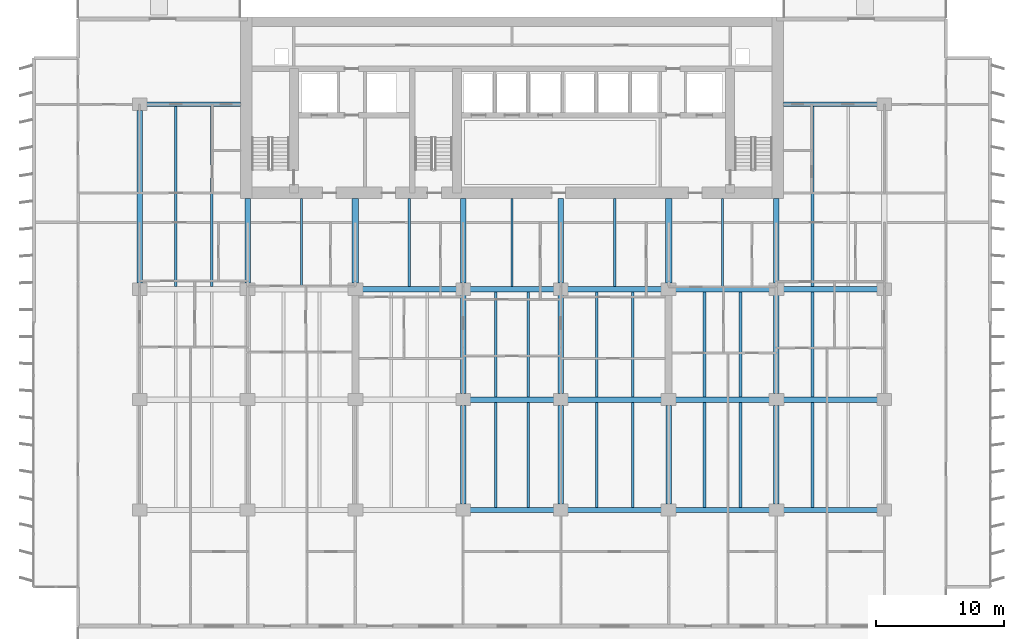
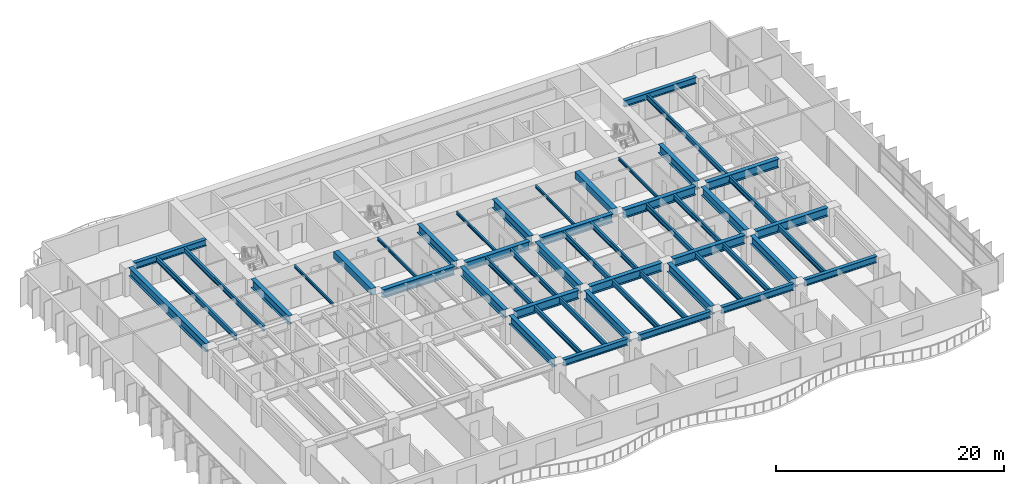
# One storey, part 3 of 17: 51 beams.
"""IFC4 building model written with IfcOpenShell, lengths in metres."""

from ifc_helpers import new_model, si_unit, direction, frame, origin, origin_2d, place, context, subcontext, project, spatial, rectangle, i_section, extrude, material, material_profile, profile_set, type_object, element, save


model = new_model("IFC4")

# Units and contexts
model_context = context("Model", 3, precision=1e-05, world=origin(), true_north=direction((0.0, 1.0)))
body_context = subcontext(model_context, "Body", "Model", "MODEL_VIEW")
ifc_project = project(units=[si_unit("LENGTHUNIT", "METRE"), si_unit("AREAUNIT", "SQUARE_METRE"), si_unit("VOLUMEUNIT", "CUBIC_METRE"), si_unit("PLANEANGLEUNIT", "RADIAN"), si_unit("MASSUNIT", "GRAM", prefix="KILO")], contexts=[model_context])

# Site, building, storey
site_placement = place(None, origin())
site = spatial("IfcSite", under=ifc_project, at=site_placement, CompositionType="ELEMENT")
building_placement = place(site_placement, origin())
building = spatial("IfcBuilding", under=site, at=building_placement, Name="Caelmar Bay Residences", CompositionType="ELEMENT")
storey_placement = place(building_placement, frame((0.0, 0.0, 49.800048828125)))
storey = spatial("IfcBuildingStorey", under=building, at=storey_placement, Name="L12", CompositionType="ELEMENT", Elevation=49.800048828125)

# Beams
ifc_material_1 = material(Name="Steel ASTM A992 Grade 50", Category="steel")
ifc_material_profile_1 = material_profile(ifc_material_1, i_section(OverallWidth=0.422119140625, OverallDepth=0.925048828125, WebThickness=0.021240234375, FlangeThickness=0.03662109375, FilletRadius=0.020263671875, at=origin_2d()), Name="W36X262")
ifc_profile_set_1 = profile_set([ifc_material_profile_1], Name="Steel ASTM A992 Grade 50")
beam_type_1 = type_object("IfcBeamType", Name="BM-GRD-W36X262", PredefinedType="BEAM", material=ifc_profile_set_1)
beam_1_placement = place(storey_placement, frame((35.639892578125, 20.800048828125, 2.58740234375), z_axis=(1.0, 0.0, 0.0), x_axis=(0.0, 1.0, 0.0)))
element("IfcBeam", 1, at=beam_1_placement, inside=storey, type_object=beam_type_1, Name="L12 East-West Girder Y=20.80 (35.1-42.7)", PredefinedType="BEAM", context=body_context, shape_type="SweptSolid", body=[
    extrude(i_section(OverallWidth=0.422119140625, OverallDepth=0.925048828125, WebThickness=0.021240234375, FlangeThickness=0.03662109375, FilletRadius=0.020263671875, at=origin_2d()), origin(), (0.0, 0.0, 1.0), 6.52001953125),
])
for number, where, z_axis, x_axis, name in (
    (2, (43.239990234375, 20.800048828125, 2.58740234375), (1.0, 0.0, 0.0), (0.0, 1.0, 0.0), "L12 East-West Girder Y=20.80 (42.7-51.1)"),
    (3, (51.639892578125, 20.800048828125, 2.58740234375), (1.0, 0.0, 0.0), (0.0, 1.0, 0.0), "L12 East-West Girder Y=20.80 (51.1-59.5)"),
    (4, (60.0400390625, 20.800048828125, 2.58740234375), (1.0, 0.0, 0.0), (0.0, 1.0, 0.0), "L12 East-West Girder Y=20.80 (59.5-67.9)"),
    (5, (27.239990234375, 29.39990234375, 2.58740234375), (1.0, 0.0, 0.0), (0.0, 1.0, 0.0), "L12 East-West Girder Y=29.40 (26.7-35.1)"),
):
    element("IfcBeam", number, at=place(storey_placement, frame(where, z_axis=z_axis, x_axis=x_axis)), inside=storey, type_object=beam_type_1, Name=name, PredefinedType="BEAM", context=body_context, shape_type="SweptSolid", body=[
        extrude(i_section(OverallWidth=0.422119140625, OverallDepth=0.925048828125, WebThickness=0.021240234375, FlangeThickness=0.03662109375, FilletRadius=0.020263671875, at=origin_2d()), origin(), (0.0, 0.0, 1.0), 7.320068359375),
    ])
beam_2_placement = place(storey_placement, frame((35.639892578125, 29.39990234375, 2.58740234375), z_axis=(1.0, 0.0, 0.0), x_axis=(0.0, 1.0, 0.0)))
element("IfcBeam", 6, at=beam_2_placement, inside=storey, type_object=beam_type_1, Name="L12 East-West Girder Y=29.40 (35.1-42.7)", PredefinedType="BEAM", context=body_context, shape_type="SweptSolid", body=[
    extrude(i_section(OverallWidth=0.422119140625, OverallDepth=0.925048828125, WebThickness=0.021240234375, FlangeThickness=0.03662109375, FilletRadius=0.020263671875, at=origin_2d()), origin(), (0.0, 0.0, 1.0), 6.52001953125),
])
for number, where, z_axis, x_axis, name in (
    (7, (43.239990234375, 29.39990234375, 2.58740234375), (1.0, 0.0, 0.0), (0.0, 1.0, 0.0), "L12 East-West Girder Y=29.40 (42.7-51.1)"),
    (8, (51.639892578125, 29.39990234375, 2.58740234375), (1.0, 0.0, 0.0), (0.0, 1.0, 0.0), "L12 East-West Girder Y=29.40 (51.1-59.5)"),
    (9, (60.0400390625, 29.39990234375, 2.58740234375), (1.0, 0.0, 0.0), (0.0, 1.0, 0.0), "L12 East-West Girder Y=29.40 (59.5-67.9)"),
):
    element("IfcBeam", number, at=place(storey_placement, frame(where, z_axis=z_axis, x_axis=x_axis)), inside=storey, type_object=beam_type_1, Name=name, PredefinedType="BEAM", context=body_context, shape_type="SweptSolid", body=[
        extrude(i_section(OverallWidth=0.422119140625, OverallDepth=0.925048828125, WebThickness=0.021240234375, FlangeThickness=0.03662109375, FilletRadius=0.020263671875, at=origin_2d()), origin(), (0.0, 0.0, 1.0), 7.320068359375),
    ])
beam_3_placement = place(storey_placement, frame((9.89990234375, 29.864990234375, 2.58740234375), z_axis=(0.0, 1.0, 0.0), x_axis=(-1.0, 0.0, 0.0)))
element("IfcBeam", 10, at=beam_3_placement, inside=storey, type_object=beam_type_1, Name="L12 North-South Girder X=9.90 (29.4-43.8)", PredefinedType="BEAM", context=body_context, shape_type="SweptSolid", body=[
    extrude(i_section(OverallWidth=0.422119140625, OverallDepth=0.925048828125, WebThickness=0.021240234375, FlangeThickness=0.03662109375, FilletRadius=0.020263671875, at=origin_2d()), origin(), (0.0, 0.0, 1.0), 13.469970703125),
])
for number, where, z_axis, x_axis, name in (
    (11, (18.300048828125, 29.864990234375, 2.58740234375), (0.0, 1.0, 0.0), (-1.0, 0.0, 0.0), "L12 Core Tie Girder X=18.30"),
    (12, (35.10009765625, 29.864990234375, 2.58740234375), (0.0, 1.0, 0.0), (-1.0, 0.0, 0.0), "L12 Core Tie Girder X=35.10"),
):
    element("IfcBeam", number, at=place(storey_placement, frame(where, z_axis=z_axis, x_axis=x_axis)), inside=storey, type_object=beam_type_1, Name=name, PredefinedType="BEAM", context=body_context, shape_type="SweptSolid", body=[
        extrude(i_section(OverallWidth=0.422119140625, OverallDepth=0.925048828125, WebThickness=0.021240234375, FlangeThickness=0.03662109375, FilletRadius=0.020263671875, at=origin_2d()), origin(), (0.0, 0.0, 1.0), 6.5849609375),
    ])
beam_4_placement = place(storey_placement, frame((35.10009765625, 12.6650390625, 2.58740234375), z_axis=(0.0, 1.0, 0.0), x_axis=(-1.0, 0.0, 0.0)))
element("IfcBeam", 13, at=beam_4_placement, inside=storey, type_object=beam_type_1, Name="L12 North-South Girder X=35.10 (12.2-20.8)", PredefinedType="BEAM", context=body_context, shape_type="SweptSolid", body=[
    extrude(i_section(OverallWidth=0.422119140625, OverallDepth=0.925048828125, WebThickness=0.021240234375, FlangeThickness=0.03662109375, FilletRadius=0.020263671875, at=origin_2d()), origin(), (0.0, 0.0, 1.0), 7.669921875),
])
beam_5_placement = place(storey_placement, frame((35.10009765625, 21.264892578125, 2.58740234375), z_axis=(0.0, 1.0, 0.0), x_axis=(-1.0, 0.0, 0.0)))
element("IfcBeam", 14, at=beam_5_placement, inside=storey, type_object=beam_type_1, Name="L12 North-South Girder X=35.10 (20.8-29.4)", PredefinedType="BEAM", context=body_context, shape_type="SweptSolid", body=[
    extrude(i_section(OverallWidth=0.422119140625, OverallDepth=0.925048828125, WebThickness=0.021240234375, FlangeThickness=0.03662109375, FilletRadius=0.020263671875, at=origin_2d()), origin(), (0.0, 0.0, 1.0), 7.670166015625),
])
beam_6_placement = place(storey_placement, frame((42.699951171875, 29.864990234375, 2.58740234375), z_axis=(0.0, 1.0, 0.0), x_axis=(-1.0, 0.0, 0.0)))
element("IfcBeam", 15, at=beam_6_placement, inside=storey, type_object=beam_type_1, Name="L12 Core Tie Girder X=42.70", PredefinedType="BEAM", context=body_context, shape_type="SweptSolid", body=[
    extrude(i_section(OverallWidth=0.422119140625, OverallDepth=0.925048828125, WebThickness=0.021240234375, FlangeThickness=0.03662109375, FilletRadius=0.020263671875, at=origin_2d()), origin(), (0.0, 0.0, 1.0), 6.5849609375),
])
beam_7_placement = place(storey_placement, frame((42.699951171875, 12.6650390625, 2.58740234375), z_axis=(0.0, 1.0, 0.0), x_axis=(-1.0, 0.0, 0.0)))
element("IfcBeam", 16, at=beam_7_placement, inside=storey, type_object=beam_type_1, Name="L12 North-South Girder X=42.70 (12.2-20.8)", PredefinedType="BEAM", context=body_context, shape_type="SweptSolid", body=[
    extrude(i_section(OverallWidth=0.422119140625, OverallDepth=0.925048828125, WebThickness=0.021240234375, FlangeThickness=0.03662109375, FilletRadius=0.020263671875, at=origin_2d()), origin(), (0.0, 0.0, 1.0), 7.669921875),
])
beam_8_placement = place(storey_placement, frame((42.699951171875, 21.264892578125, 2.58740234375), z_axis=(0.0, 1.0, 0.0), x_axis=(-1.0, 0.0, 0.0)))
element("IfcBeam", 17, at=beam_8_placement, inside=storey, type_object=beam_type_1, Name="L12 North-South Girder X=42.70 (20.8-29.4)", PredefinedType="BEAM", context=body_context, shape_type="SweptSolid", body=[
    extrude(i_section(OverallWidth=0.422119140625, OverallDepth=0.925048828125, WebThickness=0.021240234375, FlangeThickness=0.03662109375, FilletRadius=0.020263671875, at=origin_2d()), origin(), (0.0, 0.0, 1.0), 7.670166015625),
])
beam_9_placement = place(storey_placement, frame((51.10009765625, 12.6650390625, 2.58740234375), z_axis=(0.0, 1.0, 0.0), x_axis=(-1.0, 0.0, 0.0)))
element("IfcBeam", 18, at=beam_9_placement, inside=storey, type_object=beam_type_1, Name="L12 North-South Girder X=51.10 (12.2-20.8)", PredefinedType="BEAM", context=body_context, shape_type="SweptSolid", body=[
    extrude(i_section(OverallWidth=0.422119140625, OverallDepth=0.925048828125, WebThickness=0.021240234375, FlangeThickness=0.03662109375, FilletRadius=0.020263671875, at=origin_2d()), origin(), (0.0, 0.0, 1.0), 7.669921875),
])
beam_10_placement = place(storey_placement, frame((59.5, 29.864990234375, 2.58740234375), z_axis=(0.0, 1.0, 0.0), x_axis=(-1.0, 0.0, 0.0)))
element("IfcBeam", 19, at=beam_10_placement, inside=storey, type_object=beam_type_1, Name="L12 Core Tie Girder X=59.50", PredefinedType="BEAM", context=body_context, shape_type="SweptSolid", body=[
    extrude(i_section(OverallWidth=0.422119140625, OverallDepth=0.925048828125, WebThickness=0.021240234375, FlangeThickness=0.03662109375, FilletRadius=0.020263671875, at=origin_2d()), origin(), (0.0, 0.0, 1.0), 6.5849609375),
])
beam_11_placement = place(storey_placement, frame((59.5, 12.6650390625, 2.58740234375), z_axis=(0.0, 1.0, 0.0), x_axis=(-1.0, 0.0, 0.0)))
element("IfcBeam", 20, at=beam_11_placement, inside=storey, type_object=beam_type_1, Name="L12 North-South Girder X=59.50 (12.2-20.8)", PredefinedType="BEAM", context=body_context, shape_type="SweptSolid", body=[
    extrude(i_section(OverallWidth=0.422119140625, OverallDepth=0.925048828125, WebThickness=0.021240234375, FlangeThickness=0.03662109375, FilletRadius=0.020263671875, at=origin_2d()), origin(), (0.0, 0.0, 1.0), 7.669921875),
])
beam_12_placement = place(storey_placement, frame((59.5, 21.264892578125, 2.58740234375), z_axis=(0.0, 1.0, 0.0), x_axis=(-1.0, 0.0, 0.0)))
element("IfcBeam", 21, at=beam_12_placement, inside=storey, type_object=beam_type_1, Name="L12 North-South Girder X=59.50 (20.8-29.4)", PredefinedType="BEAM", context=body_context, shape_type="SweptSolid", body=[
    extrude(i_section(OverallWidth=0.422119140625, OverallDepth=0.925048828125, WebThickness=0.021240234375, FlangeThickness=0.03662109375, FilletRadius=0.020263671875, at=origin_2d()), origin(), (0.0, 0.0, 1.0), 7.670166015625),
])
ifc_material_profile_2 = material_profile(ifc_material_1, i_section(OverallWidth=0.1650390625, OverallDepth=0.31005859375, WebThickness=0.005859375, FlangeThickness=0.009765625, FilletRadius=0.007568359375, at=origin_2d()), Name="W12X26")
ifc_profile_set_2 = profile_set([ifc_material_profile_2], Name="Steel ASTM A992 Grade 50")
beam_type_2 = type_object("IfcBeamType", Name="BM-JST-W12X26", PredefinedType="JOIST", material=ifc_profile_set_2)
for number, where, z_axis, x_axis, name in (
    (22, (22.5, 29.611083984375, 2.89501953125), (0.0, 1.0, 0.0), (-1.0, 0.0, 0.0), "L12 Core-Band Composite Joist 29"),
    (23, (30.89990234375, 29.611083984375, 2.89501953125), (0.0, 1.0, 0.0), (-1.0, 0.0, 0.0), "L12 Core-Band Composite Joist 30"),
    (24, (38.89990234375, 29.611083984375, 2.89501953125), (0.0, 1.0, 0.0), (-1.0, 0.0, 0.0), "L12 Core-Band Composite Joist 31"),
    (25, (46.89990234375, 29.611083984375, 2.89501953125), (0.0, 1.0, 0.0), (-1.0, 0.0, 0.0), "L12 Core-Band Composite Joist 32"),
    (26, (55.300048828125, 29.611083984375, 2.89501953125), (0.0, 1.0, 0.0), (-1.0, 0.0, 0.0), "L12 Core-Band Composite Joist 33"),
):
    element("IfcBeam", number, at=place(storey_placement, frame(where, z_axis=z_axis, x_axis=x_axis)), inside=storey, type_object=beam_type_2, Name=name, PredefinedType="JOIST", context=body_context, shape_type="SweptSolid", body=[
        extrude(i_section(OverallWidth=0.1650390625, OverallDepth=0.31005859375, WebThickness=0.005859375, FlangeThickness=0.009765625, FilletRadius=0.007568359375, at=origin_2d()), origin(), (0.0, 0.0, 1.0), 6.8388671875),
    ])
ifc_material_profile_3 = material_profile(ifc_material_1, i_section(OverallWidth=0.2099609375, OverallDepth=0.535888671875, WebThickness=0.010986328125, FlangeThickness=0.017333984375, FilletRadius=0.0126953125, at=origin_2d()), Name="W21X68")
ifc_profile_set_3 = profile_set([ifc_material_profile_3], Name="Steel ASTM A992 Grade 50")
beam_type_3 = type_object("IfcBeamType", Name="BM-JST-W21X68", PredefinedType="JOIST", material=ifc_profile_set_3)
for number, where, z_axis, x_axis, name in (
    (27, (40.166748046875, 12.3779296875, 2.781982421875), (0.0, 1.0, 0.0), (-1.0, 0.0, 0.0), "L12 Composite Floor Joist 8"),
    (28, (48.300048828125, 12.3779296875, 2.781982421875), (0.0, 1.0, 0.0), (-1.0, 0.0, 0.0), "L12 Composite Floor Joist 10"),
    (29, (56.699951171875, 12.3779296875, 2.781982421875), (0.0, 1.0, 0.0), (-1.0, 0.0, 0.0), "L12 Composite Floor Joist 12"),
):
    element("IfcBeam", number, at=place(storey_placement, frame(where, z_axis=z_axis, x_axis=x_axis)), inside=storey, type_object=beam_type_3, Name=name, PredefinedType="JOIST", context=body_context, shape_type="SweptSolid", body=[
        extrude(i_section(OverallWidth=0.2099609375, OverallDepth=0.535888671875, WebThickness=0.010986328125, FlangeThickness=0.017333984375, FilletRadius=0.0126953125, at=origin_2d()), origin(), (0.0, 0.0, 1.0), 8.211181640625),
    ])
for number, where, z_axis, x_axis, name in (
    (30, (40.166748046875, 21.010986328125, 2.781982421875), (0.0, 1.0, 0.0), (-1.0, 0.0, 0.0), "L12 Composite Floor Joist 22"),
    (31, (48.300048828125, 21.010986328125, 2.781982421875), (0.0, 1.0, 0.0), (-1.0, 0.0, 0.0), "L12 Composite Floor Joist 24"),
    (32, (56.699951171875, 21.010986328125, 2.781982421875), (0.0, 1.0, 0.0), (-1.0, 0.0, 0.0), "L12 Composite Floor Joist 26"),
):
    element("IfcBeam", number, at=place(storey_placement, frame(where, z_axis=z_axis, x_axis=x_axis)), inside=storey, type_object=beam_type_3, Name=name, PredefinedType="JOIST", context=body_context, shape_type="SweptSolid", body=[
        extrude(i_section(OverallWidth=0.2099609375, OverallDepth=0.535888671875, WebThickness=0.010986328125, FlangeThickness=0.017333984375, FilletRadius=0.0126953125, at=origin_2d()), origin(), (0.0, 0.0, 1.0), 8.177978515625),
    ])
beam_13_placement = place(storey_placement, frame((15.5, 29.611083984375, 2.781982421875), z_axis=(0.0, 1.0, 0.0), x_axis=(-1.0, 0.0, 0.0)))
element("IfcBeam", 33, at=beam_13_placement, inside=storey, type_object=beam_type_3, Name="L12 Composite Floor Joist 35", PredefinedType="JOIST", context=body_context, shape_type="SweptSolid", body=[
    extrude(i_section(OverallWidth=0.2099609375, OverallDepth=0.535888671875, WebThickness=0.010986328125, FlangeThickness=0.017333984375, FilletRadius=0.0126953125, at=origin_2d()), origin(), (0.0, 0.0, 1.0), 14.010986328125),
])
ifc_material_profile_4 = material_profile(ifc_material_1, i_section(OverallWidth=0.214111328125, OverallDepth=0.549072265625, WebThickness=0.0146484375, FlangeThickness=0.023681640625, FilletRadius=0.0126953125, at=origin_2d()), Name="W21X93")
ifc_profile_set_4 = profile_set([ifc_material_profile_4], Name="Steel ASTM A992 Grade 50")
beam_type_4 = type_object("IfcBeamType", Name="BM-JST-W21X93", PredefinedType="JOIST", material=ifc_profile_set_4)
for number, where, z_axis, x_axis, name in (
    (34, (37.63330078125, 12.3779296875, 2.775390625), (0.0, 1.0, 0.0), (-1.0, 0.0, 0.0), "L12 Composite Floor Joist 7"),
    (35, (45.5, 12.3779296875, 2.775390625), (0.0, 1.0, 0.0), (-1.0, 0.0, 0.0), "L12 Composite Floor Joist 9"),
    (36, (53.89990234375, 12.3779296875, 2.775390625), (0.0, 1.0, 0.0), (-1.0, 0.0, 0.0), "L12 Composite Floor Joist 11"),
    (37, (62.300048828125, 12.3779296875, 2.775390625), (0.0, 1.0, 0.0), (-1.0, 0.0, 0.0), "L12 Composite Floor Joist 13"),
):
    element("IfcBeam", number, at=place(storey_placement, frame(where, z_axis=z_axis, x_axis=x_axis)), inside=storey, type_object=beam_type_4, Name=name, PredefinedType="JOIST", context=body_context, shape_type="SweptSolid", body=[
        extrude(i_section(OverallWidth=0.214111328125, OverallDepth=0.549072265625, WebThickness=0.0146484375, FlangeThickness=0.023681640625, FilletRadius=0.0126953125, at=origin_2d()), origin(), (0.0, 0.0, 1.0), 8.211181640625),
    ])
for number, where, z_axis, x_axis, name in (
    (38, (37.63330078125, 21.010986328125, 2.775390625), (0.0, 1.0, 0.0), (-1.0, 0.0, 0.0), "L12 Composite Floor Joist 21"),
    (39, (45.5, 21.010986328125, 2.775390625), (0.0, 1.0, 0.0), (-1.0, 0.0, 0.0), "L12 Composite Floor Joist 23"),
    (40, (53.89990234375, 21.010986328125, 2.775390625), (0.0, 1.0, 0.0), (-1.0, 0.0, 0.0), "L12 Composite Floor Joist 25"),
    (41, (62.300048828125, 21.010986328125, 2.775390625), (0.0, 1.0, 0.0), (-1.0, 0.0, 0.0), "L12 Composite Floor Joist 27"),
):
    element("IfcBeam", number, at=place(storey_placement, frame(where, z_axis=z_axis, x_axis=x_axis)), inside=storey, type_object=beam_type_4, Name=name, PredefinedType="JOIST", context=body_context, shape_type="SweptSolid", body=[
        extrude(i_section(OverallWidth=0.214111328125, OverallDepth=0.549072265625, WebThickness=0.0146484375, FlangeThickness=0.023681640625, FilletRadius=0.0126953125, at=origin_2d()), origin(), (0.0, 0.0, 1.0), 8.177978515625),
    ])
for number, where, z_axis, x_axis, name in (
    (42, (12.699951171875, 29.611083984375, 2.775390625), (0.0, 1.0, 0.0), (-1.0, 0.0, 0.0), "L12 Composite Floor Joist 34"),
    (43, (62.300048828125, 29.611083984375, 2.775390625), (0.0, 1.0, 0.0), (-1.0, 0.0, 0.0), "L12 Composite Floor Joist 36"),
):
    element("IfcBeam", number, at=place(storey_placement, frame(where, z_axis=z_axis, x_axis=x_axis)), inside=storey, type_object=beam_type_4, Name=name, PredefinedType="JOIST", context=body_context, shape_type="SweptSolid", body=[
        extrude(i_section(OverallWidth=0.214111328125, OverallDepth=0.549072265625, WebThickness=0.0146484375, FlangeThickness=0.023681640625, FilletRadius=0.0126953125, at=origin_2d()), origin(), (0.0, 0.0, 1.0), 14.010986328125),
    ])
ifc_material_2 = material(Name="Concrete f'c 55 MPa (8,000 psi)", Category="concrete")
ifc_material_profile_5 = material_profile(ifc_material_2, rectangle(XDim=0.5, YDim=0.699951171875, at=origin_2d()), Name="RC-BM-500X700")
ifc_profile_set_5 = profile_set([ifc_material_profile_5], Name="Concrete f'c 55 MPa (8,000 psi)")
beam_type_5 = type_object("IfcBeamType", Name="BM-RC-500X700", PredefinedType="LINTEL", material=ifc_profile_set_5)
for number, where, z_axis, x_axis, name in (
    (44, (26.699951171875, 29.864990234375, 2.699951171875), (0.0, 1.0, 0.0), (-1.0, 0.0, 0.0), "L12 Shear-Wall Corridor Coupling Lintel W5"),
    (45, (51.10009765625, 29.864990234375, 2.699951171875), (0.0, 1.0, 0.0), (-1.0, 0.0, 0.0), "L12 Shear-Wall Corridor Coupling Lintel E8"),
):
    element("IfcBeam", number, at=place(storey_placement, frame(where, z_axis=z_axis, x_axis=x_axis)), inside=storey, type_object=beam_type_5, Name=name, PredefinedType="LINTEL", context=body_context, shape_type="SweptSolid", body=[
        extrude(rectangle(XDim=0.5, YDim=0.699951171875, at=origin_2d()), origin(), (0.0, 0.0, 1.0), 6.5849609375),
    ])
ifc_material_profile_6 = material_profile(ifc_material_1, i_section(OverallWidth=0.35595703125, OverallDepth=0.696044921875, WebThickness=0.015380859375, FlangeThickness=0.02490234375, FilletRadius=0.01513671875, at=origin_2d()), Name="W27X146")
ifc_profile_set_6 = profile_set([ifc_material_profile_6], Name="Steel ASTM A992 Grade 50")
beam_type_6 = type_object("IfcBeamType", Name="BM-SPN-W27X146", PredefinedType="SPANDREL", material=ifc_profile_set_6)
beam_14_placement = place(storey_placement, frame((35.639892578125, 12.199951171875, 2.701904296875), z_axis=(1.0, 0.0, 0.0), x_axis=(0.0, 1.0, 0.0)))
element("IfcBeam", 46, at=beam_14_placement, inside=storey, type_object=beam_type_6, Name="L12 East-West Girder Y=12.20 (35.1-42.7)", PredefinedType="SPANDREL", context=body_context, shape_type="SweptSolid", body=[
    extrude(i_section(OverallWidth=0.35595703125, OverallDepth=0.696044921875, WebThickness=0.015380859375, FlangeThickness=0.02490234375, FilletRadius=0.01513671875, at=origin_2d()), origin(), (0.0, 0.0, 1.0), 6.52001953125),
])
for number, where, z_axis, x_axis, name in (
    (47, (43.239990234375, 12.199951171875, 2.701904296875), (1.0, 0.0, 0.0), (0.0, 1.0, 0.0), "L12 East-West Girder Y=12.20 (42.7-51.1)"),
    (48, (51.639892578125, 12.199951171875, 2.701904296875), (1.0, 0.0, 0.0), (0.0, 1.0, 0.0), "L12 East-West Girder Y=12.20 (51.1-59.5)"),
    (49, (60.0400390625, 12.199951171875, 2.701904296875), (1.0, 0.0, 0.0), (0.0, 1.0, 0.0), "L12 East-West Girder Y=12.20 (59.5-67.9)"),
):
    element("IfcBeam", number, at=place(storey_placement, frame(where, z_axis=z_axis, x_axis=x_axis)), inside=storey, type_object=beam_type_6, Name=name, PredefinedType="SPANDREL", context=body_context, shape_type="SweptSolid", body=[
        extrude(i_section(OverallWidth=0.35595703125, OverallDepth=0.696044921875, WebThickness=0.015380859375, FlangeThickness=0.02490234375, FilletRadius=0.01513671875, at=origin_2d()), origin(), (0.0, 0.0, 1.0), 7.320068359375),
    ])
for number, where, z_axis, x_axis, name in (
    (50, (10.43994140625, 43.800048828125, 2.701904296875), (1.0, 0.0, 0.0), (0.0, 1.0, 0.0), "L12 North-West Wing Core Tie Girder"),
    (51, (60.050048828125, 43.800048828125, 2.701904296875), (1.0, 0.0, 0.0), (0.0, 1.0, 0.0), "L12 North-East Wing Core Tie Girder"),
):
    element("IfcBeam", number, at=place(storey_placement, frame(where, z_axis=z_axis, x_axis=x_axis)), inside=storey, type_object=beam_type_6, Name=name, PredefinedType="SPANDREL", context=body_context, shape_type="SweptSolid", body=[
        extrude(i_section(OverallWidth=0.35595703125, OverallDepth=0.696044921875, WebThickness=0.015380859375, FlangeThickness=0.02490234375, FilletRadius=0.01513671875, at=origin_2d()), origin(), (0.0, 0.0, 1.0), 7.31005859375),
    ])

save(model, "model.ifc")
